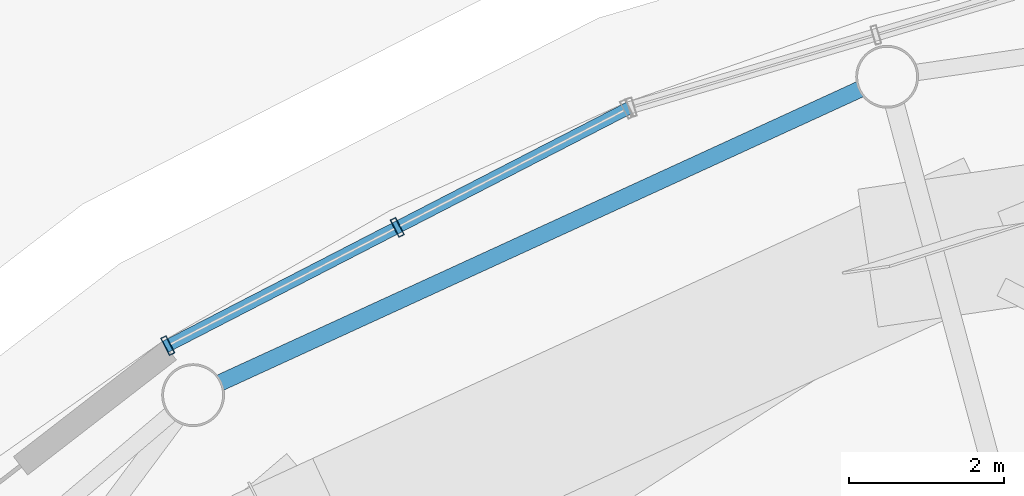
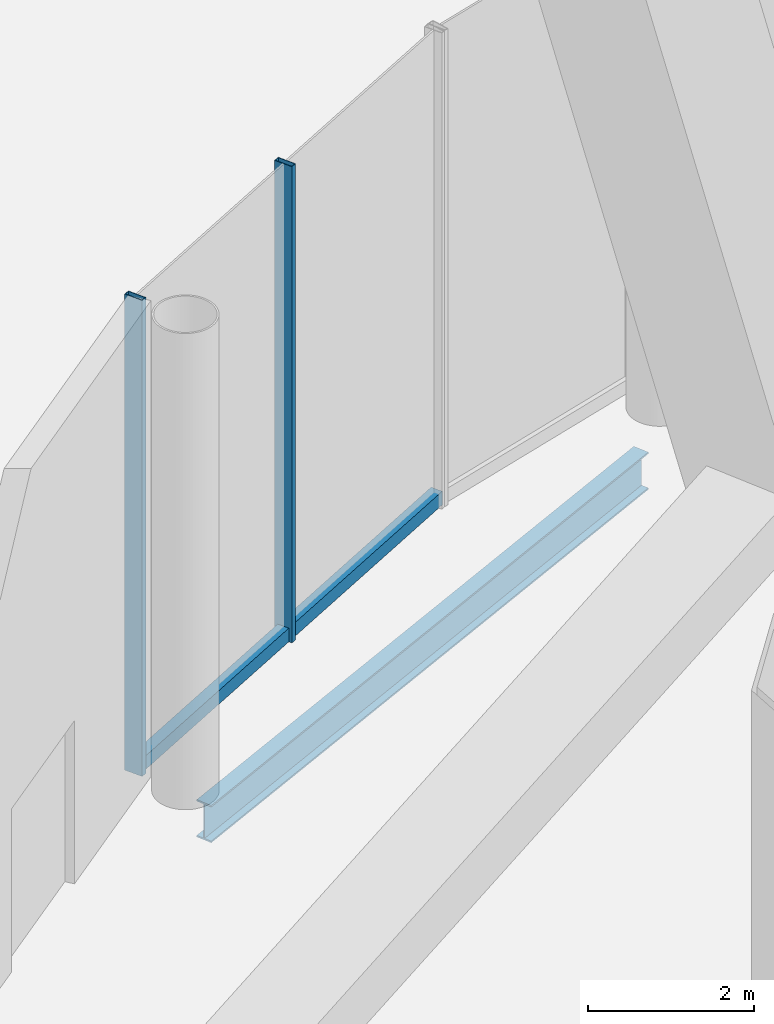
# One storey, part 45 of 67: 3 members, 1 beam, 1 element without a shape of its own.
"""IFC4 building model written with IfcOpenShell, lengths in metres."""

from ifc_helpers import new_model, si_unit, direction, frame, origin, origin_2d, place, context, subcontext, project, spatial, hollow_rectangle, i_section, extrude, material, layer, layer_set, material_profile, profile_set, type_object, element, aggregate, save


model = new_model("IFC4")

# Units and contexts
model_context = context("Model", 3, precision=1e-05, world=origin(), true_north=direction((0.0, 1.0)))
body_context = subcontext(model_context, "Body", "Model", "MODEL_VIEW")
ifc_project = project(units=[si_unit("LENGTHUNIT", "METRE"), si_unit("AREAUNIT", "SQUARE_METRE"), si_unit("VOLUMEUNIT", "CUBIC_METRE"), si_unit("PLANEANGLEUNIT", "RADIAN"), si_unit("MASSUNIT", "GRAM", prefix="KILO")], contexts=[model_context])

# Site, building, storey
site_placement = place(None, origin())
site = spatial("IfcSite", under=ifc_project, at=site_placement, CompositionType="ELEMENT")
building_placement = place(site_placement, origin())
building = spatial("IfcBuilding", under=site, at=building_placement, Name="Nagisa Residences", CompositionType="ELEMENT")
storey_placement = place(building_placement, origin())
storey = spatial("IfcBuildingStorey", under=building, at=storey_placement, Name="L00", CompositionType="ELEMENT", Elevation=0.0)

# Beam
ifc_material_1 = material(Name="Steel ASTM A572 Gr 50", Category="steel")
ifc_material_profile_1 = material_profile(ifc_material_1, i_section(OverallWidth=0.214111328125, OverallDepth=0.549072265625, WebThickness=0.0146484375, FlangeThickness=0.023681640625, at=origin_2d()), Name="W530x138")
ifc_profile_set_1 = profile_set([ifc_material_profile_1], Name="Steel ASTM A572 Gr 50")
beam_type = type_object("IfcBeamType", Name="Atrium ring beam W530x138", PredefinedType="BEAM", material=ifc_profile_set_1)
beam_placement = place(storey_placement, frame((-6.37939453125, 39.635009765625, -0.674560546875), z_axis=(-0.908914420706, -0.416982704477, 0.0), x_axis=(0.416982704477, -0.908914420706, 0.0)))
element("IfcBeam", 1, at=beam_placement, inside=storey, type_object=beam_type, Name="beam:L00:ab08", PredefinedType="BEAM", context=body_context, shape_type="SweptSolid", body=[
    extrude(i_section(OverallWidth=0.214111328125, OverallDepth=0.549072265625, WebThickness=0.0146484375, FlangeThickness=0.023681640625, at=origin_2d()), origin(), (0.0, 0.0, 1.0), 9.097900390625),
])

# Curtain wall, members
ifc_material_2 = material(Name="Stainless steel curtain wall system", Category="steel")
ifc_layer = layer(ifc_material_2, 0.159912109375)
ifc_layer_set = layer_set([ifc_layer], Name="CW3 CURTAIN WALL")
curtain_wall_type = type_object("IfcCurtainWallType", Name="CW3 CURTAIN WALL", PredefinedType="NOTDEFINED", material=ifc_layer_set)
curtain_wall_placement = place(storey_placement, origin())
curtain_wall = element("IfcCurtainWall", 2, at=curtain_wall_placement, inside=storey, type_object=curtain_wall_type, Name="cw:CW3:L00:11", PredefinedType="NOTDEFINED")
ifc_material_3 = material(Name="Stainless steel", Category="steel")
ifc_material_profile_2 = material_profile(ifc_material_3, hollow_rectangle(XDim=0.25, YDim=0.080078125, WallThickness=0.008056640625, at=origin_2d()), Name="CW3 MULLION 250x80")
ifc_profile_set_2 = profile_set([ifc_material_profile_2], Name="Stainless steel")
member_type_1 = type_object("IfcMemberType", Name="CW3 MULLION 250x80", PredefinedType="MULLION", material=ifc_profile_set_2)
member_1_placement = place(storey_placement, frame((-12.36181640625, 37.848876953125, 0.0), z_axis=(0.0, 0.0, 1.0), x_axis=(0.45812598783, -0.888887270285, 0.0)))
member_1 = element("IfcMember", 3, at=member_1_placement, type_object=member_type_1, Name="CW3 mullion", PredefinedType="MULLION", context=body_context, shape_type="SweptSolid", body=[
    extrude(hollow_rectangle(XDim=0.25, YDim=0.080078125, WallThickness=0.008056640625, at=origin_2d()), origin(), (0.0, 0.0, 1.0), 7.0),
])
member_2_placement = place(storey_placement, frame((-15.327880859375, 36.3203125, 0.0), z_axis=(0.0, 0.0, 1.0), x_axis=(0.45812598783, -0.888887270285, 0.0)))
member_2 = element("IfcMember", 4, at=member_2_placement, type_object=member_type_1, Name="CW3 mullion", PredefinedType="MULLION", context=body_context, shape_type="SweptSolid", body=[
    extrude(hollow_rectangle(XDim=0.25, YDim=0.080078125, WallThickness=0.008056640625, at=origin_2d()), origin(), (0.0, 0.0, 1.0), 7.0),
])
ifc_material_4 = material(Name="Stainless steel", Category="steel")
ifc_material_profile_3 = material_profile(ifc_material_4, hollow_rectangle(XDim=0.159912109375, YDim=0.199951171875, WallThickness=0.008056640625, at=origin_2d()), Name="CW3 TRANSOM 160x200")
ifc_profile_set_3 = profile_set([ifc_material_profile_3], Name="Stainless steel")
member_type_2 = type_object("IfcMemberType", Name="CW3 TRANSOM 160x200", PredefinedType="USERDEFINED", material=ifc_profile_set_3)
member_3_placement = place(storey_placement, frame((-9.360107421875, 39.39599609375, 0.10009765625), z_axis=(-0.888887130152, -0.458126259726, 0.0), x_axis=(0.458126259726, -0.888887130152, 0.0)))
member_3 = element("IfcMember", 5, at=member_3_placement, type_object=member_type_2, Name="CW3 transom", ObjectType="TRANSOM", PredefinedType="USERDEFINED", context=body_context, shape_type="SweptSolid", body=[
    extrude(hollow_rectangle(XDim=0.159912109375, YDim=0.199951171875, WallThickness=0.008056640625, at=origin_2d()), origin(), (0.0, 0.0, 1.0), 6.753662109375),
])
aggregate(curtain_wall, [member_1, member_2, member_3])

save(model, "model.ifc")
